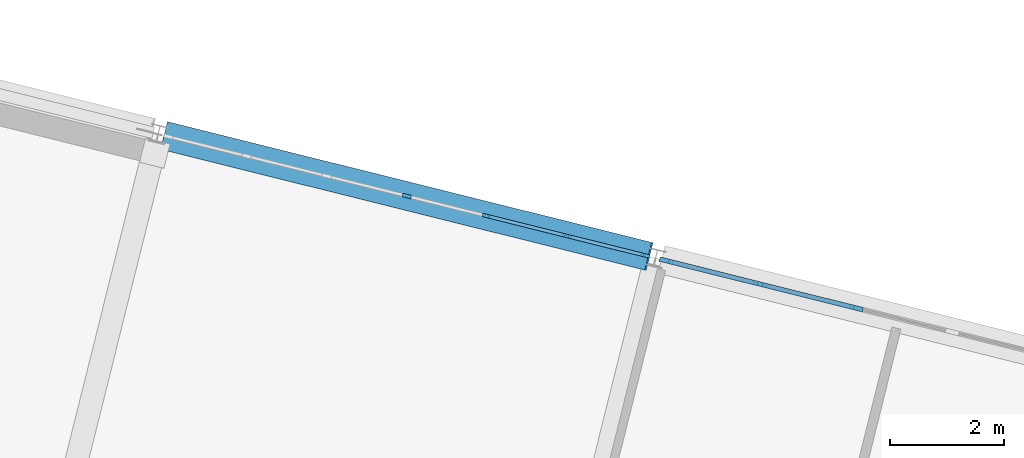
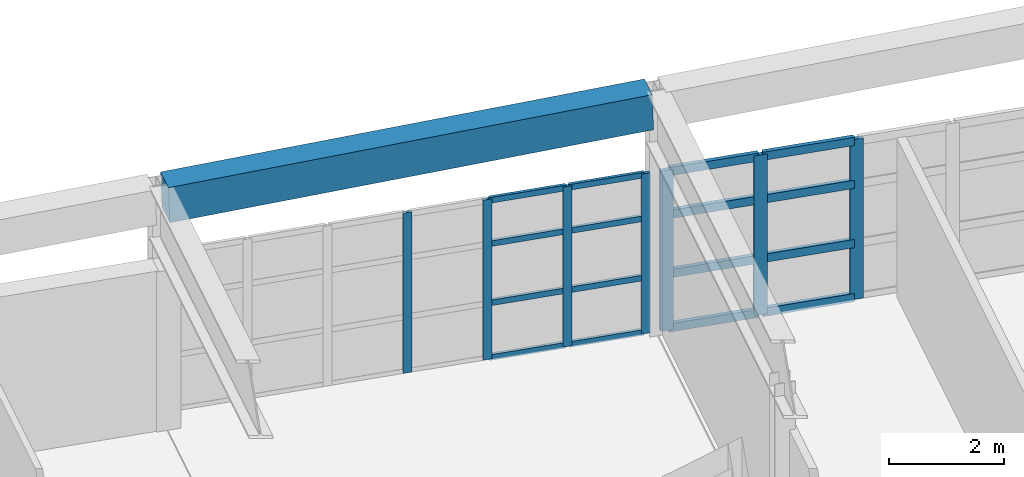
# One storey, part 17 of 27: 23 members, 1 beam, 2 elements without a shape of their own.
"""IFC4 building model written with IfcOpenShell, lengths in metres."""

from ifc_helpers import new_model, si_unit, direction, frame, origin, origin_2d, place, context, subcontext, project, spatial, rectangle, extrude, material, layer, layer_set, material_profile, profile_set, type_object, element, aggregate, save


model = new_model("IFC4")

# Units and contexts
model_context = context("Model", 3, precision=1e-05, world=origin(), true_north=direction((0.0, 1.0)))
body_context = subcontext(model_context, "Body", "Model", "MODEL_VIEW")
ifc_project = project(units=[si_unit("LENGTHUNIT", "METRE"), si_unit("AREAUNIT", "SQUARE_METRE"), si_unit("VOLUMEUNIT", "CUBIC_METRE"), si_unit("PLANEANGLEUNIT", "RADIAN"), si_unit("MASSUNIT", "GRAM", prefix="KILO")], contexts=[model_context])

# Site, building, storey
site_placement = place(None, origin())
site = spatial("IfcSite", under=ifc_project, at=site_placement, CompositionType="ELEMENT")
building_placement = place(site_placement, origin())
building = spatial("IfcBuilding", under=site, at=building_placement, Name="Vireo Bluff Cable Station", CompositionType="ELEMENT")
storey_placement = place(building_placement, frame((0.0, 0.0, 19.199951171875)))
storey = spatial("IfcBuildingStorey", under=building, at=storey_placement, Name="L04", CompositionType="ELEMENT", Elevation=19.199951171875)

# Curtain wall, members
ifc_material_1 = material(Name="Anodized Aluminium 6063-T6", Category="aluminium")
ifc_layer_1 = layer(ifc_material_1, 0.179931640625, Name="Anodized Aluminium 6063-T6")
ifc_layer_set_1 = layer_set([ifc_layer_1], Name="Anodized Aluminium 6063-T6")
curtain_wall_type_1 = type_object("IfcCurtainWallType", Name="CW-UNIT-1500", PredefinedType="USERDEFINED", material=ifc_layer_set_1)
curtain_wall_1_placement = place(storey_placement, origin())
curtain_wall_1 = element("IfcCurtainWall", 1, at=curtain_wall_1_placement, inside=storey, type_object=curtain_wall_type_1, Name="V1 L04 north curtain wall CW-034", ObjectType="UNITISED CURTAIN WALL", PredefinedType="USERDEFINED")
ifc_material_profile_1 = material_profile(ifc_material_1, rectangle(XDim=0.06005859375, YDim=0.159912109375, at=origin_2d()), Name="ALU-M-60X160")
ifc_profile_set_1 = profile_set([ifc_material_profile_1], Name="Anodized Aluminium 6063-T6")
member_type_1 = type_object("IfcMemberType", Name="CWM-03", PredefinedType="MULLION", material=ifc_profile_set_1)
member_1_placement = place(storey_placement, frame((72.905029296875, 58.021240234375, 0.0), z_axis=(0.0, 0.0, 1.0), x_axis=(0.241921878749, 0.970295730477, 0.0)))
member_1 = element("IfcMember", 2, at=member_1_placement, type_object=member_type_1, Name="CW-034 mullion 4", PredefinedType="MULLION", context=body_context, shape_type="SweptSolid", body=[
    extrude(rectangle(XDim=0.06005859375, YDim=0.159912109375, at=origin_2d()), origin(), (0.0, 0.0, 1.0), 3.400146484375),
])
member_2_placement = place(storey_placement, frame((74.310546875, 57.670654296875, 0.0), z_axis=(0.0, 0.0, 1.0), x_axis=(0.241921878749, 0.970295730477, 0.0)))
member_2 = element("IfcMember", 3, at=member_2_placement, type_object=member_type_1, Name="CW-034 mullion 5", PredefinedType="MULLION", context=body_context, shape_type="SweptSolid", body=[
    extrude(rectangle(XDim=0.06005859375, YDim=0.159912109375, at=origin_2d()), origin(), (0.0, 0.0, 1.0), 3.400146484375),
])
member_3_placement = place(storey_placement, frame((75.716064453125, 57.3203125, 0.0), z_axis=(0.0, 0.0, 1.0), x_axis=(0.241921878749, 0.970295730477, 0.0)))
member_3 = element("IfcMember", 4, at=member_3_placement, type_object=member_type_1, Name="CW-034 mullion 6", PredefinedType="MULLION", context=body_context, shape_type="SweptSolid", body=[
    extrude(rectangle(XDim=0.06005859375, YDim=0.159912109375, at=origin_2d()), origin(), (0.0, 0.0, 1.0), 3.400146484375),
])
member_4_placement = place(storey_placement, frame((77.092529296875, 56.97705078125, 0.0), z_axis=(0.0, 0.0, 1.0), x_axis=(0.241921878749, 0.970295730477, 0.0)))
member_4 = element("IfcMember", 5, at=member_4_placement, type_object=member_type_1, Name="CW-034 mullion 7", PredefinedType="MULLION", context=body_context, shape_type="SweptSolid", body=[
    extrude(rectangle(XDim=0.06005859375, YDim=0.159912109375, at=origin_2d()), origin(), (0.0, 0.0, 1.0), 3.400146484375),
])

ifc_layer_2 = layer(ifc_material_1, 0.179931640625, Name="Anodized Aluminium 6063-T6")
ifc_layer_set_2 = layer_set([ifc_layer_2], Name="Anodized Aluminium 6063-T6")
curtain_wall_type_2 = type_object("IfcCurtainWallType", Name="CW-UNIT-1650", PredefinedType="USERDEFINED", material=ifc_layer_set_2)
curtain_wall_2_placement = place(storey_placement, origin())
curtain_wall_2 = element("IfcCurtainWall", 6, at=curtain_wall_2_placement, inside=storey, type_object=curtain_wall_type_2, Name="V1 L04 north curtain wall CW-035", ObjectType="UNITISED CURTAIN WALL", PredefinedType="USERDEFINED")
ifc_material_profile_2 = material_profile(ifc_material_1, rectangle(XDim=0.080078125, YDim=0.239990234375, at=origin_2d()), Name="ALU-M-80X240")
ifc_profile_set_2 = profile_set([ifc_material_profile_2], Name="Anodized Aluminium 6063-T6")
member_type_2 = type_object("IfcMemberType", Name="CWM-04", PredefinedType="MULLION", material=ifc_profile_set_2)
member_5_placement = place(storey_placement, frame((77.460205078125, 56.885498046875, 0.0), z_axis=(0.0, 0.0, 1.0), x_axis=(0.241921878749, 0.970295730477, 0.0)))
member_5 = element("IfcMember", 7, at=member_5_placement, type_object=member_type_2, Name="CW-035 mullion 1", PredefinedType="MULLION", context=body_context, shape_type="SweptSolid", body=[
    extrude(rectangle(XDim=0.080078125, YDim=0.239990234375, at=origin_2d()), origin(), (0.0, 0.0, 1.0), 3.400146484375),
])
member_6_placement = place(storey_placement, frame((79.10791015625, 56.474609375, 0.0), z_axis=(0.0, 0.0, 1.0), x_axis=(0.241921878749, 0.970295730477, 0.0)))
member_6 = element("IfcMember", 8, at=member_6_placement, type_object=member_type_2, Name="CW-035 mullion 2", PredefinedType="MULLION", context=body_context, shape_type="SweptSolid", body=[
    extrude(rectangle(XDim=0.080078125, YDim=0.239990234375, at=origin_2d()), origin(), (0.0, 0.0, 1.0), 3.400146484375),
])
member_7_placement = place(storey_placement, frame((80.79443359375, 56.05419921875, 0.0), z_axis=(0.0, 0.0, 1.0), x_axis=(0.241921878749, 0.970295730477, 0.0)))
member_7 = element("IfcMember", 9, at=member_7_placement, type_object=member_type_2, Name="CW-035 mullion 3", PredefinedType="MULLION", context=body_context, shape_type="SweptSolid", body=[
    extrude(rectangle(XDim=0.080078125, YDim=0.239990234375, at=origin_2d()), origin(), (0.0, 0.0, 1.0), 3.400146484375),
])

# Member
ifc_material_profile_3 = material_profile(ifc_material_1, rectangle(XDim=0.06005859375, YDim=0.1201171875, at=origin_2d()), Name="ALU-T-60X120")
ifc_profile_set_3 = profile_set([ifc_material_profile_3], Name="Anodized Aluminium 6063-T6")
member_type_3 = type_object("IfcMemberType", Name="CWT-03", PredefinedType="USERDEFINED", material=ifc_profile_set_3)
member_8_placement = place(storey_placement, frame((74.339599609375, 57.66357421875, 0.030029296875), z_axis=(0.970297428502, -0.24191506824, 0.0), x_axis=(0.24191506824, 0.970297428502, 0.0)))
member_8 = element("IfcMember", 10, at=member_8_placement, type_object=member_type_3, Name="CW-034 transom 5.1", ObjectType="TRANSOM", PredefinedType="USERDEFINED", context=body_context, shape_type="SweptSolid", body=[
    extrude(rectangle(XDim=0.06005859375, YDim=0.1201171875, at=origin_2d()), origin(), (0.0, 0.0, 1.0), 1.388671875),
])

member_9_placement = place(storey_placement, frame((74.339599609375, 57.66357421875, 1.18994140625), z_axis=(0.970297428502, -0.24191506824, 0.0), x_axis=(0.24191506824, 0.970297428502, 0.0)))
member_9 = element("IfcMember", 11, at=member_9_placement, type_object=member_type_3, Name="CW-034 transom 5.2", ObjectType="TRANSOM", PredefinedType="USERDEFINED", context=body_context, shape_type="SweptSolid", body=[
    extrude(rectangle(XDim=0.06005859375, YDim=0.1201171875, at=origin_2d()), origin(), (0.0, 0.0, 1.0), 1.388671875),
])

member_10_placement = place(storey_placement, frame((74.339599609375, 57.66357421875, 2.447998046875), z_axis=(0.970297428502, -0.24191506824, 0.0), x_axis=(0.24191506824, 0.970297428502, 0.0)))
member_10 = element("IfcMember", 12, at=member_10_placement, type_object=member_type_3, Name="CW-034 transom 5.3", ObjectType="TRANSOM", PredefinedType="USERDEFINED", context=body_context, shape_type="SweptSolid", body=[
    extrude(rectangle(XDim=0.06005859375, YDim=0.1201171875, at=origin_2d()), origin(), (0.0, 0.0, 1.0), 1.388671875),
])

member_11_placement = place(storey_placement, frame((74.339599609375, 57.66357421875, 3.3701171875), z_axis=(0.970297428502, -0.24191506824, 0.0), x_axis=(0.24191506824, 0.970297428502, 0.0)))
member_11 = element("IfcMember", 13, at=member_11_placement, type_object=member_type_3, Name="CW-034 transom 5.4", ObjectType="TRANSOM", PredefinedType="USERDEFINED", context=body_context, shape_type="SweptSolid", body=[
    extrude(rectangle(XDim=0.06005859375, YDim=0.1201171875, at=origin_2d()), origin(), (0.0, 0.0, 1.0), 1.388671875),
])

member_12_placement = place(storey_placement, frame((75.7451171875, 57.31298828125, 0.030029296875), z_axis=(0.970300868044, -0.241901272159, 0.0), x_axis=(0.241901272159, 0.970300868044, 0.0)))
member_12 = element("IfcMember", 14, at=member_12_placement, type_object=member_type_3, Name="CW-034 transom 6.1", ObjectType="TRANSOM", PredefinedType="USERDEFINED", context=body_context, shape_type="SweptSolid", body=[
    extrude(rectangle(XDim=0.06005859375, YDim=0.1201171875, at=origin_2d()), origin(), (0.0, 0.0, 1.0), 1.3583984375),
])

member_13_placement = place(storey_placement, frame((75.7451171875, 57.31298828125, 1.18994140625), z_axis=(0.970300868044, -0.241901272159, 0.0), x_axis=(0.241901272159, 0.970300868044, 0.0)))
member_13 = element("IfcMember", 15, at=member_13_placement, type_object=member_type_3, Name="CW-034 transom 6.2", ObjectType="TRANSOM", PredefinedType="USERDEFINED", context=body_context, shape_type="SweptSolid", body=[
    extrude(rectangle(XDim=0.06005859375, YDim=0.1201171875, at=origin_2d()), origin(), (0.0, 0.0, 1.0), 1.3583984375),
])

member_14_placement = place(storey_placement, frame((75.7451171875, 57.31298828125, 2.447998046875), z_axis=(0.970300868044, -0.241901272159, 0.0), x_axis=(0.241901272159, 0.970300868044, 0.0)))
member_14 = element("IfcMember", 16, at=member_14_placement, type_object=member_type_3, Name="CW-034 transom 6.3", ObjectType="TRANSOM", PredefinedType="USERDEFINED", context=body_context, shape_type="SweptSolid", body=[
    extrude(rectangle(XDim=0.06005859375, YDim=0.1201171875, at=origin_2d()), origin(), (0.0, 0.0, 1.0), 1.3583984375),
])

member_15_placement = place(storey_placement, frame((75.7451171875, 57.31298828125, 3.3701171875), z_axis=(0.970300868044, -0.241901272159, 0.0), x_axis=(0.241901272159, 0.970300868044, 0.0)))
member_15 = element("IfcMember", 17, at=member_15_placement, type_object=member_type_3, Name="CW-034 transom 6.4", ObjectType="TRANSOM", PredefinedType="USERDEFINED", context=body_context, shape_type="SweptSolid", body=[
    extrude(rectangle(XDim=0.06005859375, YDim=0.1201171875, at=origin_2d()), origin(), (0.0, 0.0, 1.0), 1.3583984375),
])

aggregate(curtain_wall_1, [member_1, member_2, member_3, member_4, member_8, member_9, member_10, member_11, member_12, member_13, member_14, member_15])

ifc_material_profile_4 = material_profile(ifc_material_1, rectangle(XDim=0.080078125, YDim=0.175048828125, at=origin_2d()), Name="ALU-T-80X175")
ifc_profile_set_4 = profile_set([ifc_material_profile_4], Name="Anodized Aluminium 6063-T6")
member_type_4 = type_object("IfcMemberType", Name="CWT-04", PredefinedType="USERDEFINED", material=ifc_profile_set_4)
member_16_placement = place(storey_placement, frame((77.4990234375, 56.875732421875, 0.0400390625), z_axis=(0.970310896522, -0.241861042937, 0.0), x_axis=(0.241861042937, 0.970310896522, 0.0)))
member_16 = element("IfcMember", 18, at=member_16_placement, type_object=member_type_4, Name="CW-035 transom 1.1", ObjectType="TRANSOM", PredefinedType="USERDEFINED", context=body_context, shape_type="SweptSolid", body=[
    extrude(rectangle(XDim=0.080078125, YDim=0.175048828125, at=origin_2d()), origin(), (0.0, 0.0, 1.0), 1.6181640625),
])

member_17_placement = place(storey_placement, frame((77.4990234375, 56.875732421875, 1.18994140625), z_axis=(0.970310896522, -0.241861042937, 0.0), x_axis=(0.241861042937, 0.970310896522, 0.0)))
member_17 = element("IfcMember", 19, at=member_17_placement, type_object=member_type_4, Name="CW-035 transom 1.2", ObjectType="TRANSOM", PredefinedType="USERDEFINED", context=body_context, shape_type="SweptSolid", body=[
    extrude(rectangle(XDim=0.080078125, YDim=0.175048828125, at=origin_2d()), origin(), (0.0, 0.0, 1.0), 1.6181640625),
])

member_18_placement = place(storey_placement, frame((77.4990234375, 56.875732421875, 2.447998046875), z_axis=(0.970310896522, -0.241861042937, 0.0), x_axis=(0.241861042937, 0.970310896522, 0.0)))
member_18 = element("IfcMember", 20, at=member_18_placement, type_object=member_type_4, Name="CW-035 transom 1.3", ObjectType="TRANSOM", PredefinedType="USERDEFINED", context=body_context, shape_type="SweptSolid", body=[
    extrude(rectangle(XDim=0.080078125, YDim=0.175048828125, at=origin_2d()), origin(), (0.0, 0.0, 1.0), 1.6181640625),
])

member_19_placement = place(storey_placement, frame((77.4990234375, 56.875732421875, 3.360107421875), z_axis=(0.970310896522, -0.241861042937, 0.0), x_axis=(0.241861042937, 0.970310896522, 0.0)))
member_19 = element("IfcMember", 21, at=member_19_placement, type_object=member_type_4, Name="CW-035 transom 1.4", ObjectType="TRANSOM", PredefinedType="USERDEFINED", context=body_context, shape_type="SweptSolid", body=[
    extrude(rectangle(XDim=0.080078125, YDim=0.175048828125, at=origin_2d()), origin(), (0.0, 0.0, 1.0), 1.6181640625),
])

member_20_placement = place(storey_placement, frame((79.146728515625, 56.46484375, 0.0400390625), z_axis=(0.970298198748, -0.241911978838, 0.0), x_axis=(0.241911978838, 0.970298198748, 0.0)))
member_20 = element("IfcMember", 22, at=member_20_placement, type_object=member_type_4, Name="CW-035 transom 2.1", ObjectType="TRANSOM", PredefinedType="USERDEFINED", context=body_context, shape_type="SweptSolid", body=[
    extrude(rectangle(XDim=0.080078125, YDim=0.175048828125, at=origin_2d()), origin(), (0.0, 0.0, 1.0), 1.658203125),
])

member_21_placement = place(storey_placement, frame((79.146728515625, 56.46484375, 1.18994140625), z_axis=(0.970298198748, -0.241911978838, 0.0), x_axis=(0.241911978838, 0.970298198748, 0.0)))
member_21 = element("IfcMember", 23, at=member_21_placement, type_object=member_type_4, Name="CW-035 transom 2.2", ObjectType="TRANSOM", PredefinedType="USERDEFINED", context=body_context, shape_type="SweptSolid", body=[
    extrude(rectangle(XDim=0.080078125, YDim=0.175048828125, at=origin_2d()), origin(), (0.0, 0.0, 1.0), 1.658203125),
])

member_22_placement = place(storey_placement, frame((79.146728515625, 56.46484375, 2.447998046875), z_axis=(0.970298198748, -0.241911978838, 0.0), x_axis=(0.241911978838, 0.970298198748, 0.0)))
member_22 = element("IfcMember", 24, at=member_22_placement, type_object=member_type_4, Name="CW-035 transom 2.3", ObjectType="TRANSOM", PredefinedType="USERDEFINED", context=body_context, shape_type="SweptSolid", body=[
    extrude(rectangle(XDim=0.080078125, YDim=0.175048828125, at=origin_2d()), origin(), (0.0, 0.0, 1.0), 1.658203125),
])

member_23_placement = place(storey_placement, frame((79.146728515625, 56.46484375, 3.360107421875), z_axis=(0.970298198748, -0.241911978838, 0.0), x_axis=(0.241911978838, 0.970298198748, 0.0)))
member_23 = element("IfcMember", 25, at=member_23_placement, type_object=member_type_4, Name="CW-035 transom 2.4", ObjectType="TRANSOM", PredefinedType="USERDEFINED", context=body_context, shape_type="SweptSolid", body=[
    extrude(rectangle(XDim=0.080078125, YDim=0.175048828125, at=origin_2d()), origin(), (0.0, 0.0, 1.0), 1.658203125),
])

aggregate(curtain_wall_2, [member_5, member_6, member_7, member_16, member_17, member_18, member_19, member_20, member_21, member_22, member_23])

# Beam
ifc_material_2 = material(Name="Concrete f'c 40 MPa", Category="concrete")
ifc_material_profile_5 = material_profile(ifc_material_2, rectangle(XDim=0.5, YDim=0.75, at=origin_2d()), Name="RC-EB-500X750")
ifc_profile_set_5 = profile_set([ifc_material_profile_5], Name="Concrete f'c 40 MPa")
beam_type = type_object("IfcBeamType", Name="RCEB-03", PredefinedType="SPANDREL", material=ifc_profile_set_5)
beam_placement = place(storey_placement, frame((68.6552734375, 59.080810546875, 4.55078125), z_axis=(0.969776072977, -0.241810314218, 0.032590492758), x_axis=(0.241938834838, 0.970291502693, 0.0)))
element("IfcBeam", 26, at=beam_placement, inside=storey, type_object=beam_type, Name="V1 L04 spandrel 340", PredefinedType="SPANDREL", context=body_context, shape_type="SweptSolid", body=[
    extrude(rectangle(XDim=0.5, YDim=0.75, at=origin_2d()), origin(), (0.0, 0.0, 1.0), 8.7646484375),
])

save(model, "model.ifc")
